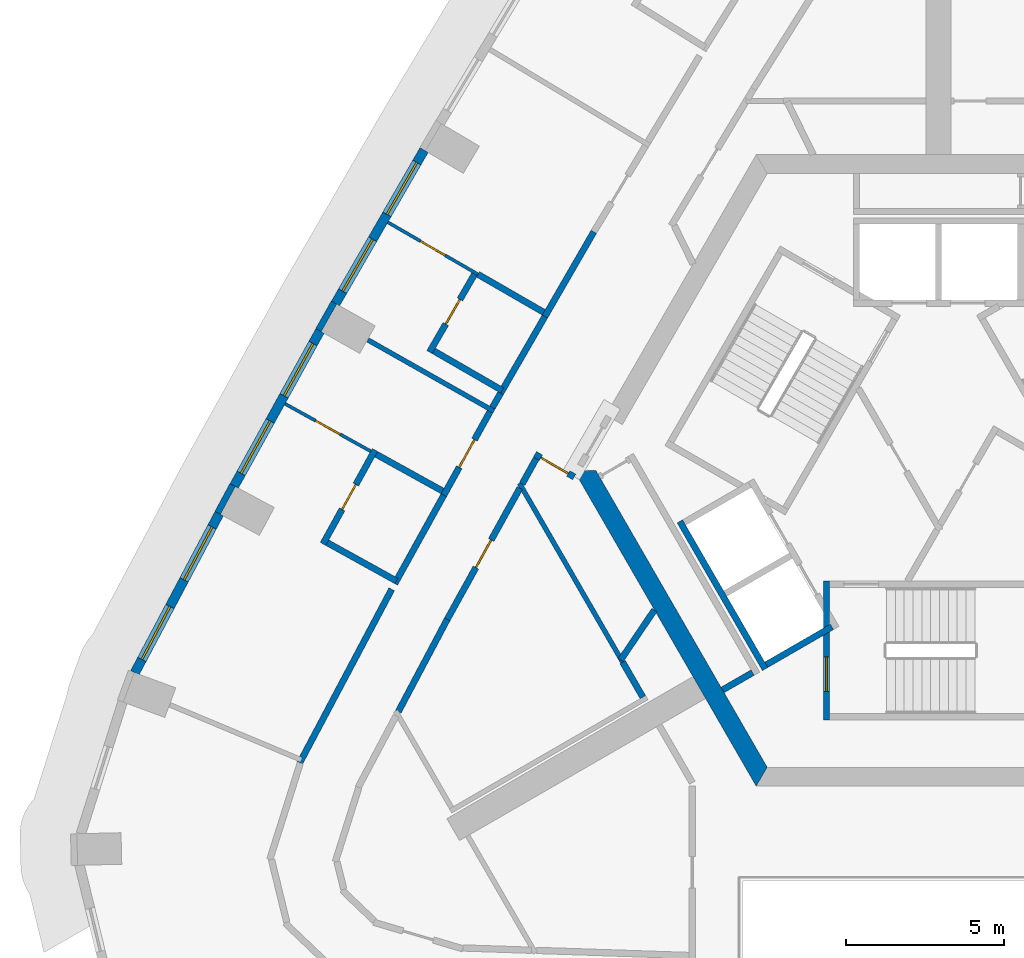
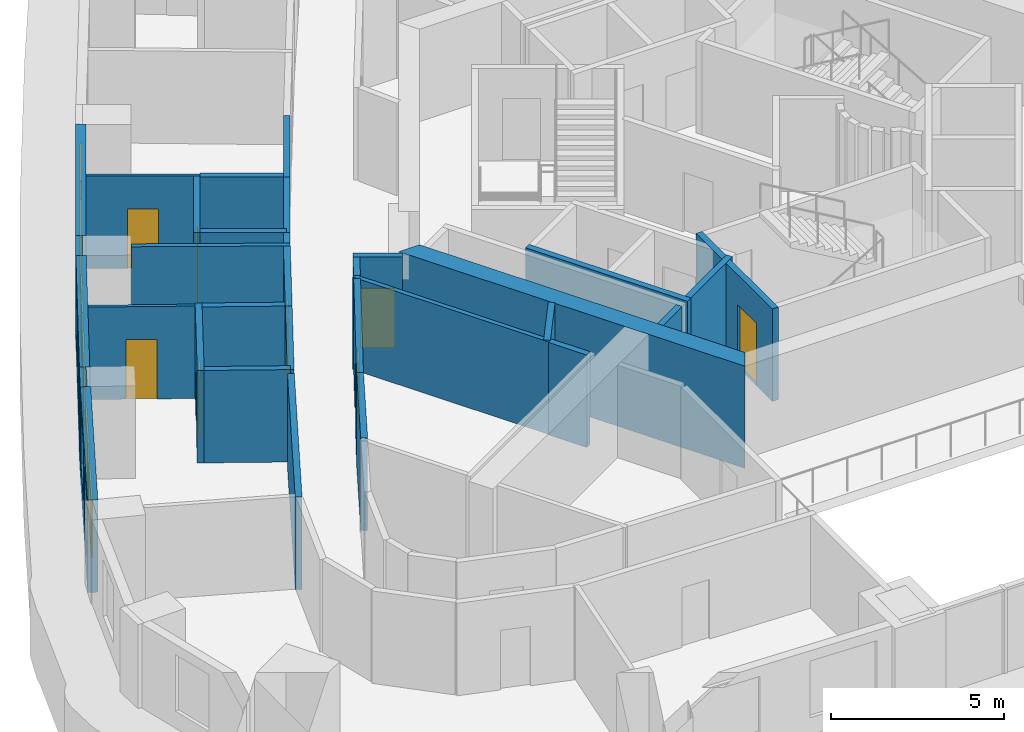
# One storey, part 4 of 13: 32 walls, 8 doors, 6 windows, 14 openings.
"""IFC4 building model written with IfcOpenShell, lengths in metres."""

from ifc_helpers import new_model, si_unit, direction, frame, frame_2d, origin, place, context, subcontext, project, spatial, polyline, rectangle, outline, extrude, material, layer, layer_set, type_object, element, fill, save


model = new_model("IFC4")

# Units and contexts
model_context = context("Model", 3, precision=1e-05, world=origin(), true_north=direction((0.0, 1.0)))
body_context = subcontext(model_context, "Body", "Model", "MODEL_VIEW")
ifc_project = project(units=[si_unit("LENGTHUNIT", "METRE"), si_unit("AREAUNIT", "SQUARE_METRE"), si_unit("VOLUMEUNIT", "CUBIC_METRE"), si_unit("PLANEANGLEUNIT", "RADIAN"), si_unit("MASSUNIT", "GRAM", prefix="KILO")], contexts=[model_context])

# Site, building, storey
site_placement = place(None, origin())
site = spatial("IfcSite", under=ifc_project, at=site_placement, CompositionType="ELEMENT")
building_placement = place(site_placement, origin())
building = spatial("IfcBuilding", under=site, at=building_placement, Name="Entoto Arch Interchange Tower", CompositionType="ELEMENT")
storey_placement = place(building_placement, frame((0.0, 0.0, 266.60009765625)))
storey = spatial("IfcBuildingStorey", under=building, at=storey_placement, Name="L61", CompositionType="ELEMENT", Elevation=266.60009765625)

# Walls
ifc_material_1 = material(Name="Concrete C40/50", Category="concrete")
ifc_layer_1 = layer(ifc_material_1, 0.60009765625)
ifc_layer_set_1 = layer_set([ifc_layer_1], Name="Concrete C40/50")
wall_type_1 = type_object("IfcWallType", Name="Core wall 600 C40/50", PredefinedType="SHEAR", material=ifc_layer_set_1)
wall_1_placement = place(storey_placement, frame((0.0, 0.0, -0.340087890625)))
element("IfcWall", 1, at=wall_1_placement, inside=storey, type_object=wall_type_1, Name="Core wall SW L61", PredefinedType="SHEAR", context=body_context, shape_type="SweptSolid", body=[
    extrude(outline(polyline([(-11.547119140625, 2.5), (-5.77392578125, -7.5), (-5.427001953125, -6.89990234375), (-10.85400390625, 2.5), (-11.547119140625, 2.5)])), origin(), (0.0, 0.0, 1.0), 3.60009765625),
])
ifc_layer_2 = layer(ifc_material_1, 0.199951171875)
ifc_layer_set_2 = layer_set([ifc_layer_2], Name="Concrete C40/50")
wall_type_2 = type_object("IfcWallType", Name="LIFT SHAFT WALL 200", PredefinedType="STANDARD", material=ifc_layer_set_2)
wall_2_placement = place(storey_placement, frame((-8.19189453125, 0.887939453125, 0.0), z_axis=(0.0, 0.0, 1.0), x_axis=(0.500034260056, -0.866005622828, 0.0)))
element("IfcWall", 2, at=wall_2_placement, inside=storey, type_object=wall_type_2, Name="Shaft wall SW1 back", PredefinedType="STANDARD", context=body_context, shape_type="SweptSolid", body=[
    extrude(rectangle(XDim=5.3994140625, YDim=0.199951171875, at=frame_2d((2.69970703125, 0.0))), origin(), (0.0, 0.0, 1.0), 3.260009765625),
])
wall_3_placement = place(storey_placement, frame((-3.376953125, -2.451904296875, 0.0), z_axis=(0.0, 0.0, 1.0), x_axis=(-0.865955154139, -0.50012165622, 0.0)))
element("IfcWall", 3, at=wall_3_placement, inside=storey, type_object=wall_type_2, Name="Shaft wall SW1 cross 3", PredefinedType="STANDARD", context=body_context, shape_type="SweptSolid", body=[
    extrude(rectangle(XDim=2.39990234375, YDim=0.199951171875, at=frame_2d((1.199951171875, 0.0))), origin(), (0.0, 0.0, 1.0), 3.260009765625),
])

# Wall, opening, door
ifc_material_2 = material(Name="Gypsum board partition on steel studs", Category="steel")
ifc_layer_3 = layer(ifc_material_2, 0.10009765625)
ifc_layer_set_3 = layer_set([ifc_layer_3], Name="Gypsum board partition on steel studs")
wall_type_3 = type_object("IfcWallType", Name="PARTITION 100", PredefinedType="PARTITIONING", material=ifc_layer_set_3)
wall_4_placement = place(storey_placement, frame((-14.583984375, 8.7099609375, 0.0), z_axis=(0.0, 0.0, 1.0), x_axis=(-0.866008176907, 0.50002983664, 0.0)))
wall_4 = element("IfcWall", 4, at=wall_4_placement, inside=storey, type_object=wall_type_3, Name="wall:L61:p134", PredefinedType="PARTITIONING", context=body_context, shape_type="SweptSolid", body=[
    extrude(rectangle(XDim=3.300048828125, YDim=0.10009765625, at=frame_2d((1.64990234375, 0.0))), origin(), (0.0, 0.0, 1.0), 3.260009765625),
])
opening_1_placement = place(wall_4_placement, frame((1.199951171875, 0.0, 0.0)))
opening_1 = element("IfcOpeningElement", 5, at=opening_1_placement, cuts=wall_4, Name="Opening L61-D14", PredefinedType="OPENING", context=body_context, shape_type="SweptSolid", body=[
    extrude(rectangle(XDim=0.89990234375, YDim=2.10009765625, at=frame_2d((0.449951171875, 1.050048828125))), frame((0.0, 0.06005859375, 0.0), z_axis=(0.0, -1.0, 0.0), x_axis=(1.0, 0.0, 0.0)), (0.0, 0.0, 1.0), 0.1201171875),
])
ifc_material_3 = material(Name="Timber door leaf in Steel S235 frame", Category="steel")
door_type_1 = type_object("IfcDoorType", Name="DOOR DS-09 900x2100", OperationType="SINGLE_SWING_LEFT", PredefinedType="DOOR", material=ifc_material_3)
door_1_placement = place(opening_1_placement, origin())
door_1 = element("IfcDoor", 6, at=door_1_placement, inside=storey, type_object=door_type_1, Name="door:L61:14", OperationType="SINGLE_SWING_LEFT", OverallHeight=2.10009765625, OverallWidth=0.89990234375, PredefinedType="DOOR", context=body_context, shape_type="SweptSolid", body=[
    extrude(rectangle(XDim=0.89990234375, YDim=2.10009765625, at=frame_2d((0.449951171875, 1.050048828125))), frame((0.0, 0.02490234375, 0.0), z_axis=(0.0, -1.0, 0.0), x_axis=(1.0, 0.0, 0.0)), (0.0, 0.0, 1.0), 0.050048828125),
])
fill(opening_1, door_1)

wall_5_placement = place(storey_placement, frame((-17.985107421875, 3.10888671875, 0.0), z_axis=(0.0, 0.0, 1.0), x_axis=(-0.874762085098, 0.484552674614, 0.0)))
wall_5 = element("IfcWall", 7, at=wall_5_placement, inside=storey, type_object=wall_type_3, Name="wall:L61:p139", PredefinedType="PARTITIONING", context=body_context, shape_type="SweptSolid", body=[
    extrude(rectangle(XDim=3.10009765625, YDim=0.10009765625, at=frame_2d((1.550048828125, 0.0))), origin(), (0.0, 0.0, 1.0), 3.260009765625),
])
opening_2_placement = place(wall_5_placement, frame((1.10009765625, 0.0, 0.0)))
opening_2 = element("IfcOpeningElement", 8, at=opening_2_placement, cuts=wall_5, Name="Opening L61-D17", PredefinedType="OPENING", context=body_context, shape_type="SweptSolid", body=[
    extrude(rectangle(XDim=0.89990234375, YDim=2.10009765625, at=frame_2d((0.449951171875, 1.050048828125))), frame((0.0, 0.06005859375, 0.0), z_axis=(0.0, -1.0, 0.0), x_axis=(1.0, 0.0, 0.0)), (0.0, 0.0, 1.0), 0.1201171875),
])
door_2_placement = place(opening_2_placement, origin())
door_2 = element("IfcDoor", 9, at=door_2_placement, inside=storey, type_object=door_type_1, Name="door:L61:17", OperationType="SINGLE_SWING_LEFT", OverallHeight=2.10009765625, OverallWidth=0.89990234375, PredefinedType="DOOR", context=body_context, shape_type="SweptSolid", body=[
    extrude(rectangle(XDim=0.89990234375, YDim=2.10009765625, at=frame_2d((0.449951171875, 1.050048828125))), frame((0.0, 0.02490234375, 0.0), z_axis=(0.0, -1.0, 0.0), x_axis=(1.0, 0.0, 0.0)), (0.0, 0.0, 1.0), 0.050048828125),
])
fill(opening_2, door_2)

# Walls
ifc_layer_4 = layer(ifc_material_2, 0.14990234375)
ifc_layer_set_4 = layer_set([ifc_layer_4], Name="Gypsum board partition on steel studs")
wall_type_4 = type_object("IfcWallType", Name="PARTITION 150", PredefinedType="PARTITIONING", material=ifc_layer_set_4)
wall_6_placement = place(storey_placement, frame((-13.27392578125, 2.092041015625, 0.0), z_axis=(0.0, 0.0, 1.0), x_axis=(0.500002592159, -0.866023907196, 0.0)))
element("IfcWall", 10, at=wall_6_placement, inside=storey, type_object=wall_type_4, Name="wall:L61:p082", PredefinedType="PARTITIONING", context=body_context, shape_type="SweptSolid", body=[
    extrude(rectangle(XDim=6.5380859375, YDim=0.14990234375, at=frame_2d((3.26904296875, 0.0))), origin(), (0.0, 0.0, 1.0), 3.260009765625),
])
wall_7_placement = place(storey_placement, frame((-14.0830078125, 4.376953125, 0.0), z_axis=(0.0, 0.0, 1.0), x_axis=(-0.870415885751, 0.492317159799, 0.0)))
element("IfcWall", 11, at=wall_7_placement, inside=storey, type_object=wall_type_4, Name="wall:L61:p138", PredefinedType="PARTITIONING", context=body_context, shape_type="SweptSolid", body=[
    extrude(rectangle(XDim=4.58056640625, YDim=0.14990234375, at=frame_2d((2.290283203125, 0.0))), origin(), (0.0, 0.0, 1.0), 3.260009765625),
])

# Wall, opening, door
ifc_layer_5 = layer(ifc_material_2, 0.199951171875)
ifc_layer_set_5 = layer_set([ifc_layer_5], Name="Gypsum board partition on steel studs")
wall_type_5 = type_object("IfcWallType", Name="PARTITION 200", PredefinedType="PARTITIONING", material=ifc_layer_set_5)
wall_8_placement = place(storey_placement, frame((-11.5390625, 2.294921875, 0.0), z_axis=(0.0, 0.0, 1.0), x_axis=(-0.866023989838, 0.500002449018, 0.0)))
wall_8 = element("IfcWall", 12, at=wall_8_placement, inside=storey, type_object=wall_type_5, Name="wall:L61:p001", PredefinedType="PARTITIONING", context=body_context, shape_type="SweptSolid", body=[
    extrude(rectangle(XDim=1.43408203125, YDim=0.199951171875, at=frame_2d((0.717041015625, 0.0))), origin(), (0.0, 0.0, 1.0), 3.260009765625),
])
opening_3_placement = place(wall_8_placement, frame((0.217041015625, 0.0, 0.0)))
opening_3 = element("IfcOpeningElement", 13, at=opening_3_placement, cuts=wall_8, Name="Opening L61-D32", PredefinedType="OPENING", context=body_context, shape_type="SweptSolid", body=[
    extrude(rectangle(XDim=1.0, YDim=2.10009765625, at=frame_2d((0.5, 1.050048828125))), frame((0.0, 0.10986328125, 0.0), z_axis=(0.0, -1.0, 0.0), x_axis=(1.0, 0.0, 0.0)), (0.0, 0.0, 1.0), 0.219970703125),
])
door_type_2 = type_object("IfcDoorType", Name="DOOR DS-10 1000x2100", OperationType="SINGLE_SWING_LEFT", PredefinedType="DOOR", material=ifc_material_3)
door_3_placement = place(opening_3_placement, origin())
door_3 = element("IfcDoor", 14, at=door_3_placement, inside=storey, type_object=door_type_2, Name="door:L61:32", OperationType="SINGLE_SWING_RIGHT", OverallHeight=2.10009765625, OverallWidth=1.0, PredefinedType="DOOR", context=body_context, shape_type="SweptSolid", body=[
    extrude(rectangle(XDim=1.0, YDim=2.10009765625, at=frame_2d((0.5, 1.050048828125))), frame((0.0, 0.02490234375, 0.0), z_axis=(0.0, -1.0, 0.0), x_axis=(1.0, 0.0, 0.0)), (0.0, 0.0, 1.0), 0.050048828125),
])
fill(opening_3, door_3)

# Wall
wall_9_placement = place(storey_placement, frame((-12.742919921875, 2.875, 0.0), z_axis=(0.0, 0.0, 1.0), x_axis=(-0.484334040176, -0.8748831565, 0.0)))
element("IfcWall", 15, at=wall_9_placement, inside=storey, type_object=wall_type_5, Name="wall:L61:p002", PredefinedType="PARTITIONING", context=body_context, shape_type="SweptSolid", body=[
    extrude(rectangle(XDim=0.9189453125, YDim=0.199951171875, at=frame_2d((0.45947265625, 0.0))), origin(), (0.0, 0.0, 1.0), 3.260009765625),
])

# Wall, opening, door
wall_10_placement = place(storey_placement, frame((-13.260986328125, 1.93896484375, 0.0), z_axis=(0.0, 0.0, 1.0), x_axis=(-0.484323615817, -0.874888927329, 0.0)))
wall_10 = element("IfcWall", 16, at=wall_10_placement, inside=storey, type_object=wall_type_5, Name="wall:L61:p029", PredefinedType="PARTITIONING", context=body_context, shape_type="SweptSolid", body=[
    extrude(rectangle(XDim=4.7470703125, YDim=0.199951171875, at=frame_2d((2.37353515625, 0.0))), origin(), (0.0, 0.0, 1.0), 3.260009765625),
])
opening_4_placement = place(wall_10_placement, frame((1.8740234375, 0.0, 0.0)))
opening_4 = element("IfcOpeningElement", 17, at=opening_4_placement, cuts=wall_10, Name="Opening L61-D29", PredefinedType="OPENING", context=body_context, shape_type="SweptSolid", body=[
    extrude(rectangle(XDim=1.0, YDim=2.10009765625, at=frame_2d((0.5, 1.050048828125))), frame((0.0, 0.10986328125, 0.0), z_axis=(0.0, -1.0, 0.0), x_axis=(1.0, 0.0, 0.0)), (0.0, 0.0, 1.0), 0.219970703125),
])
door_4_placement = place(opening_4_placement, origin())
door_4 = element("IfcDoor", 18, at=door_4_placement, inside=storey, type_object=door_type_2, Name="door:L61:29", OperationType="SINGLE_SWING_LEFT", OverallHeight=2.10009765625, OverallWidth=1.0, PredefinedType="DOOR", context=body_context, shape_type="SweptSolid", body=[
    extrude(rectangle(XDim=1.0, YDim=2.10009765625, at=frame_2d((0.5, 1.050048828125))), frame((0.0, 0.02490234375, 0.0), z_axis=(0.0, -1.0, 0.0), x_axis=(1.0, 0.0, 0.0)), (0.0, 0.0, 1.0), 0.050048828125),
])
fill(opening_4, door_4)

# Walls
wall_11_placement = place(storey_placement, frame((-15.56005859375, -2.214111328125, 0.0), z_axis=(0.0, 0.0, 1.0), x_axis=(-0.468104679961, -0.883673021314, 0.0)))
element("IfcWall", 19, at=wall_11_placement, inside=storey, type_object=wall_type_5, Name="wall:L61:p030", PredefinedType="PARTITIONING", context=body_context, shape_type="SweptSolid", body=[
    extrude(rectangle(XDim=3.308837890625, YDim=0.199951171875, at=frame_2d((1.654296875, 0.0))), origin(), (0.0, 0.0, 1.0), 3.260009765625),
])
wall_12_placement = place(storey_placement, frame((-12.468994140625, 7.373046875, 0.0), z_axis=(0.0, 0.0, 1.0), x_axis=(0.500129289791, 0.86595074542, 0.0)))
element("IfcWall", 20, at=wall_12_placement, inside=storey, type_object=wall_type_5, Name="wall:L61:p060", PredefinedType="PARTITIONING", context=body_context, shape_type="SweptSolid", body=[
    extrude(rectangle(XDim=3.099365234375, YDim=0.199951171875, at=frame_2d((1.5498046875, 0.0))), origin(), (0.0, 0.0, 1.0), 3.260009765625),
])
wall_13_placement = place(storey_placement, frame((-14.132080078125, 4.491943359375, 0.0), z_axis=(0.0, 0.0, 1.0), x_axis=(0.499829488579, 0.86612382622, 0.0)))
element("IfcWall", 21, at=wall_13_placement, inside=storey, type_object=wall_type_5, Name="wall:L61:p062", PredefinedType="PARTITIONING", context=body_context, shape_type="SweptSolid", body=[
    extrude(rectangle(XDim=0.526611328125, YDim=0.199951171875, at=frame_2d((0.26318359375, 0.0))), origin(), (0.0, 0.0, 1.0), 3.260009765625),
])
wall_14_placement = place(storey_placement, frame((-13.868896484375, 4.947998046875, 0.0), z_axis=(0.0, 0.0, 1.0), x_axis=(0.49994636267, 0.866056369097, 0.0)))
element("IfcWall", 22, at=wall_14_placement, inside=storey, type_object=wall_type_5, Name="wall:L61:p063", PredefinedType="PARTITIONING", context=body_context, shape_type="SweptSolid", body=[
    extrude(rectangle(XDim=2.800048828125, YDim=0.199951171875, at=frame_2d((1.39990234375, 0.0))), origin(), (0.0, 0.0, 1.0), 3.260009765625),
])

# Wall, opening, door
wall_15_placement = place(storey_placement, frame((-15.6708984375, 1.714111328125, 0.0), z_axis=(0.0, 0.0, 1.0), x_axis=(0.484203367026, 0.874955484216, 0.0)))
wall_15 = element("IfcWall", 23, at=wall_15_placement, inside=storey, type_object=wall_type_5, Name="wall:L61:p064", PredefinedType="PARTITIONING", context=body_context, shape_type="SweptSolid", body=[
    extrude(rectangle(XDim=3.025146484375, YDim=0.199951171875, at=frame_2d((1.5126953125, 0.0))), origin(), (0.0, 0.0, 1.0), 3.260009765625),
])
opening_5_placement = place(wall_15_placement, frame((1.012939453125, 0.0, 0.0)))
opening_5 = element("IfcOpeningElement", 24, at=opening_5_placement, cuts=wall_15, Name="Opening L61-D16", PredefinedType="OPENING", context=body_context, shape_type="SweptSolid", body=[
    extrude(rectangle(XDim=1.0, YDim=2.10009765625, at=frame_2d((0.5, 1.050048828125))), frame((0.0, 0.10986328125, 0.0), z_axis=(0.0, -1.0, 0.0), x_axis=(1.0, 0.0, 0.0)), (0.0, 0.0, 1.0), 0.219970703125),
])
ifc_material_4 = material(Name="Fire-rated Steel S235 door and frame", Category="steel")
door_type_3 = type_object("IfcDoorType", Name="DOOR FD-10 1000x2100", OperationType="SINGLE_SWING_LEFT", PredefinedType="DOOR", material=ifc_material_4)
door_5_placement = place(opening_5_placement, origin())
door_5 = element("IfcDoor", 25, at=door_5_placement, inside=storey, type_object=door_type_3, Name="door:L61:16", OperationType="SINGLE_SWING_RIGHT", OverallHeight=2.10009765625, OverallWidth=1.0, PredefinedType="DOOR", context=body_context, shape_type="SweptSolid", body=[
    extrude(rectangle(XDim=1.0, YDim=2.10009765625, at=frame_2d((0.5, 1.050048828125))), frame((0.0, 0.02490234375, 0.0), z_axis=(0.0, -1.0, 0.0), x_axis=(1.0, 0.0, 0.0)), (0.0, 0.0, 1.0), 0.050048828125),
])
fill(opening_5, door_5)

# Walls
wall_16_placement = place(storey_placement, frame((-20.22900390625, -6.75390625, 0.0), z_axis=(0.0, 0.0, 1.0), x_axis=(0.468313568794, 0.883562335822, 0.0)))
element("IfcWall", 26, at=wall_16_placement, inside=storey, type_object=wall_type_5, Name="wall:L61:p065", PredefinedType="PARTITIONING", context=body_context, shape_type="SweptSolid", body=[
    extrude(rectangle(XDim=6.215576171875, YDim=0.199951171875, at=frame_2d((3.10791015625, 0.0))), origin(), (0.0, 0.0, 1.0), 3.260009765625),
])
wall_17_placement = place(storey_placement, frame((-17.220947265625, -1.0849609375, 0.0), z_axis=(0.0, 0.0, 1.0), x_axis=(0.48445041864, 0.874818719438, 0.0)))
element("IfcWall", 27, at=wall_17_placement, inside=storey, type_object=wall_type_5, Name="wall:L61:p066", PredefinedType="PARTITIONING", context=body_context, shape_type="SweptSolid", body=[
    extrude(rectangle(XDim=3.19970703125, YDim=0.199951171875, at=frame_2d((1.599853515625, 0.0))), origin(), (0.0, 0.0, 1.0), 3.260009765625),
])
wall_18_placement = place(storey_placement, frame((-5.887939453125, -3.902099609375, 0.0), z_axis=(0.0, 0.0, 1.0), x_axis=(-0.86621513555, -0.499671230855, 0.0)))
element("IfcWall", 28, at=wall_18_placement, inside=storey, type_object=wall_type_5, Name="wall:L61:p078", PredefinedType="PARTITIONING", context=body_context, shape_type="SweptSolid", body=[
    extrude(rectangle(XDim=1.100341796875, YDim=0.199951171875, at=frame_2d((0.55029296875, 0.0))), origin(), (0.0, 0.0, 1.0), 3.260009765625),
])
wall_19_placement = place(storey_placement, frame((-10.069091796875, -3.50390625, 0.0), z_axis=(0.0, 0.0, 1.0), x_axis=(0.559779346026, 0.828641710127, 0.0)))
element("IfcWall", 29, at=wall_19_placement, inside=storey, type_object=wall_type_5, Name="wall:L61:p081", PredefinedType="PARTITIONING", context=body_context, shape_type="SweptSolid", body=[
    extrude(rectangle(XDim=1.9150390625, YDim=0.199951171875, at=frame_2d((0.95751953125, 0.0))), origin(), (0.0, 0.0, 1.0), 3.260009765625),
])
wall_20_placement = place(storey_placement, frame((-9.364013671875, -4.679931640625, 0.0), z_axis=(0.0, 0.0, 1.0), x_axis=(-0.500052244015, 0.865995238587, 0.0)))
element("IfcWall", 30, at=wall_20_placement, inside=storey, type_object=wall_type_5, Name="wall:L61:p099", PredefinedType="PARTITIONING", context=body_context, shape_type="SweptSolid", body=[
    extrude(rectangle(XDim=1.281494140625, YDim=0.199951171875, at=frame_2d((0.640625, 0.0))), origin(), (0.0, 0.0, 1.0), 3.260009765625),
])
wall_21_placement = place(storey_placement, frame((-12.5048828125, 7.510009765625, 0.0), z_axis=(0.0, 0.0, 1.0), x_axis=(-0.866277021052, 0.499563932643, 0.0)))
element("IfcWall", 31, at=wall_21_placement, inside=storey, type_object=wall_type_5, Name="wall:L61:p135", PredefinedType="PARTITIONING", context=body_context, shape_type="SweptSolid", body=[
    extrude(rectangle(XDim=2.400146484375, YDim=0.199951171875, at=frame_2d((1.2001953125, 0.0))), origin(), (0.0, 0.0, 1.0), 3.260009765625),
])

# Wall, opening, door
wall_22_placement = place(storey_placement, frame((-14.64501953125, 8.802978515625, 0.0), z_axis=(0.0, 0.0, 1.0), x_axis=(-0.500001826776, -0.866024349092, 0.0)))
wall_22 = element("IfcWall", 32, at=wall_22_placement, inside=storey, type_object=wall_type_5, Name="wall:L61:p136", PredefinedType="PARTITIONING", context=body_context, shape_type="SweptSolid", body=[
    extrude(rectangle(XDim=2.9501953125, YDim=0.199951171875, at=frame_2d((1.47509765625, 0.0))), origin(), (0.0, 0.0, 1.0), 3.260009765625),
])
opening_6_placement = place(wall_22_placement, frame((1.02490234375, 0.0, 0.0)))
opening_6 = element("IfcOpeningElement", 33, at=opening_6_placement, cuts=wall_22, Name="Opening L61-D15", PredefinedType="OPENING", context=body_context, shape_type="SweptSolid", body=[
    extrude(rectangle(XDim=0.89990234375, YDim=2.10009765625, at=frame_2d((0.449951171875, 1.050048828125))), frame((0.0, 0.10986328125, 0.0), z_axis=(0.0, -1.0, 0.0), x_axis=(1.0, 0.0, 0.0)), (0.0, 0.0, 1.0), 0.219970703125),
])
door_6_placement = place(opening_6_placement, origin())
door_6 = element("IfcDoor", 34, at=door_6_placement, inside=storey, type_object=door_type_1, Name="door:L61:15", OperationType="SINGLE_SWING_LEFT", OverallHeight=2.10009765625, OverallWidth=0.89990234375, PredefinedType="DOOR", context=body_context, shape_type="SweptSolid", body=[
    extrude(rectangle(XDim=0.89990234375, YDim=2.10009765625, at=frame_2d((0.449951171875, 1.050048828125))), frame((0.0, 0.02490234375, 0.0), z_axis=(0.0, -1.0, 0.0), x_axis=(1.0, 0.0, 0.0)), (0.0, 0.0, 1.0), 0.050048828125),
])
fill(opening_6, door_6)

# Walls
wall_23_placement = place(storey_placement, frame((-15.98388671875, 6.284912109375, 0.0), z_axis=(0.0, 0.0, 1.0), x_axis=(0.865998541277, -0.500046524342, 0.0)))
element("IfcWall", 35, at=wall_23_placement, inside=storey, type_object=wall_type_5, Name="wall:L61:p137", PredefinedType="PARTITIONING", context=body_context, shape_type="SweptSolid", body=[
    extrude(rectangle(XDim=2.499755859375, YDim=0.199951171875, at=frame_2d((1.25, 0.0))), origin(), (0.0, 0.0, 1.0), 3.260009765625),
])
wall_24_placement = place(storey_placement, frame((-15.7099609375, 1.85009765625, 0.0), z_axis=(0.0, 0.0, 1.0), x_axis=(-0.874842414173, 0.484407628308, 0.0)))
element("IfcWall", 36, at=wall_24_placement, inside=storey, type_object=wall_type_5, Name="wall:L61:p140", PredefinedType="PARTITIONING", context=body_context, shape_type="SweptSolid", body=[
    extrude(rectangle(XDim=2.400634765625, YDim=0.199951171875, at=frame_2d((1.2001953125, 0.0))), origin(), (0.0, 0.0, 1.0), 3.260009765625),
])

# Wall, opening, door
wall_25_placement = place(storey_placement, frame((-17.84912109375, 3.14794921875, 0.0), z_axis=(0.0, 0.0, 1.0), x_axis=(-0.484257957482, -0.874925271446, 0.0)))
wall_25 = element("IfcWall", 37, at=wall_25_placement, inside=storey, type_object=wall_type_5, Name="wall:L61:p141", PredefinedType="PARTITIONING", context=body_context, shape_type="SweptSolid", body=[
    extrude(rectangle(XDim=3.39892578125, YDim=0.199951171875, at=frame_2d((1.699462890625, 0.0))), origin(), (0.0, 0.0, 1.0), 3.260009765625),
])
opening_7_placement = place(wall_25_placement, frame((1.25, 0.0, 0.0)))
opening_7 = element("IfcOpeningElement", 38, at=opening_7_placement, cuts=wall_25, Name="Opening L61-D18", PredefinedType="OPENING", context=body_context, shape_type="SweptSolid", body=[
    extrude(rectangle(XDim=0.89990234375, YDim=2.10009765625, at=frame_2d((0.449951171875, 1.050048828125))), frame((0.0, 0.10986328125, 0.0), z_axis=(0.0, -1.0, 0.0), x_axis=(1.0, 0.0, 0.0)), (0.0, 0.0, 1.0), 0.219970703125),
])
door_7_placement = place(opening_7_placement, origin())
door_7 = element("IfcDoor", 39, at=door_7_placement, inside=storey, type_object=door_type_1, Name="door:L61:18", OperationType="SINGLE_SWING_LEFT", OverallHeight=2.10009765625, OverallWidth=0.89990234375, PredefinedType="DOOR", context=body_context, shape_type="SweptSolid", body=[
    extrude(rectangle(XDim=0.89990234375, YDim=2.10009765625, at=frame_2d((0.449951171875, 1.050048828125))), frame((0.0, 0.02490234375, 0.0), z_axis=(0.0, -1.0, 0.0), x_axis=(1.0, 0.0, 0.0)), (0.0, 0.0, 1.0), 0.050048828125),
])
fill(opening_7, door_7)

# Wall
wall_26_placement = place(storey_placement, frame((-19.360107421875, 0.212890625, 0.0), z_axis=(0.0, 0.0, 1.0), x_axis=(0.874939003568, -0.484233146362, 0.0)))
element("IfcWall", 40, at=wall_26_placement, inside=storey, type_object=wall_type_5, Name="wall:L61:p142", PredefinedType="PARTITIONING", context=body_context, shape_type="SweptSolid", body=[
    extrude(rectangle(XDim=2.500732421875, YDim=0.199951171875, at=frame_2d((1.25048828125, 0.0))), origin(), (0.0, 0.0, 1.0), 3.260009765625),
])

# Wall, opening, door
ifc_layer_6 = layer(ifc_material_1, 0.199951171875)
ifc_layer_set_6 = layer_set([ifc_layer_6], Name="Concrete C40/50")
wall_type_6 = type_object("IfcWallType", Name="STAIR ENCLOSURE WALL 200", PredefinedType="STANDARD", material=ifc_layer_set_6)
wall_27_placement = place(storey_placement, frame((-3.550048828125, -1.0, 0.0), z_axis=(0.0, 0.0, 1.0), x_axis=(0.0, -1.0, 0.0)))
wall_27 = element("IfcWall", 41, at=wall_27_placement, inside=storey, type_object=wall_type_6, Name="Stair wall ST-S near", PredefinedType="STANDARD", context=body_context, shape_type="SweptSolid", body=[
    extrude(rectangle(XDim=4.39990234375, YDim=0.199951171875, at=frame_2d((2.199951171875, 0.0))), origin(), (0.0, 0.0, 1.0), 3.260009765625),
])
opening_8_placement = place(wall_27_placement, frame((2.39990234375, 0.0, 0.0)))
opening_8 = element("IfcOpeningElement", 42, at=opening_8_placement, cuts=wall_27, Name="Opening SD-ST-S-L61-E", PredefinedType="OPENING", context=body_context, shape_type="SweptSolid", body=[
    extrude(rectangle(XDim=1.10009765625, YDim=2.199951171875, at=frame_2d((0.550048828125, 1.10009765625))), frame((0.0, 0.10986328125, 0.0), z_axis=(0.0, -1.0, 0.0), x_axis=(1.0, 0.0, 0.0)), (0.0, 0.0, 1.0), 0.219970703125),
])
ifc_material_5 = material(Name="Steel S235", Category="steel")
door_type_4 = type_object("IfcDoorType", Name="STAIR DOOR SD1 1100x2200", OperationType="SINGLE_SWING_LEFT", PredefinedType="DOOR", material=ifc_material_5)
door_8_placement = place(opening_8_placement, origin())
door_8 = element("IfcDoor", 43, at=door_8_placement, inside=storey, type_object=door_type_4, Name="Stair door ST-S L61 end", OperationType="SINGLE_SWING_LEFT", OverallHeight=2.199951171875, OverallWidth=1.10009765625, PredefinedType="DOOR", context=body_context, shape_type="SweptSolid", body=[
    extrude(rectangle(XDim=1.10009765625, YDim=2.199951171875, at=frame_2d((0.550048828125, 1.10009765625))), frame((0.0, 0.02490234375, 0.0), z_axis=(0.0, -1.0, 0.0), x_axis=(1.0, 0.0, 0.0)), (0.0, 0.0, 1.0), 0.050048828125),
])
fill(opening_8, door_8)

# Wall, openings, windows
ifc_material_6 = material(Name="Welded tuff (ignimbrite) cladding, warm buff", Category="masonry")
ifc_layer_7 = layer(ifc_material_6, 0.300048828125)
ifc_layer_set_7 = layer_set([ifc_layer_7], Name="Welded tuff (ignimbrite) cladding, warm buff")
wall_type_7 = type_object("IfcWallType", Name="STONE INFILL WALL 300", PredefinedType="STANDARD", material=ifc_layer_set_7)
wall_28_placement = place(storey_placement, frame((-16.2939453125, 12.64697265625, 0.0), z_axis=(0.0, 0.0, 1.0), x_axis=(-0.500041292042, -0.866001562501, 0.0)))
wall_28 = element("IfcWall", 44, at=wall_28_placement, inside=storey, type_object=wall_type_7, Name="Facade wall NW-03 L61", PredefinedType="STANDARD", context=body_context, shape_type="SweptSolid", body=[
    extrude(rectangle(XDim=5.61181640625, YDim=0.300048828125, at=frame_2d((2.805908203125, 0.0))), origin(), (0.0, 0.0, 1.0), 3.260009765625),
])
opening_9_placement = place(wall_28_placement, frame((0.452880859375, 0.0, 0.89990234375)))
opening_9 = element("IfcOpeningElement", 45, at=opening_9_placement, cuts=wall_28, Name="Opening WH-C", PredefinedType="OPENING", context=body_context, shape_type="SweptSolid", body=[
    extrude(rectangle(XDim=1.89990234375, YDim=2.0, at=frame_2d((0.949951171875, 1.0))), frame((0.0, 0.16015625, 0.0), z_axis=(0.0, -1.0, 0.0), x_axis=(1.0, 0.0, 0.0)), (0.0, 0.0, 1.0), 0.320068359375),
])
opening_10_placement = place(wall_28_placement, frame((3.259033203125, 0.0, 0.89990234375)))
opening_10 = element("IfcOpeningElement", 46, at=opening_10_placement, cuts=wall_28, Name="Opening WH-C", PredefinedType="OPENING", context=body_context, shape_type="SweptSolid", body=[
    extrude(rectangle(XDim=1.89990234375, YDim=2.0, at=frame_2d((0.949951171875, 1.0))), frame((0.0, 0.16015625, 0.0), z_axis=(0.0, -1.0, 0.0), x_axis=(1.0, 0.0, 0.0)), (0.0, 0.0, 1.0), 0.320068359375),
])
ifc_material_7 = material(Name="Clear glass, low-e double glazed", Category="glass")
window_type = type_object("IfcWindowType", Name="WINDOW WH-C 1900x2000", PartitioningType="DOUBLE_PANEL_VERTICAL", PredefinedType="WINDOW", material=ifc_material_7)
window_1_placement = place(opening_9_placement, origin())
window_1 = element("IfcWindow", 47, at=window_1_placement, inside=storey, type_object=window_type, Name="Window WH-C NW-03 L61", OverallHeight=2.0, OverallWidth=1.89990234375, PartitioningType="SINGLE_PANEL", PredefinedType="WINDOW", context=body_context, shape_type="SweptSolid", body=[
    extrude(rectangle(XDim=1.89990234375, YDim=2.0, at=frame_2d((0.949951171875, 1.0))), frame((0.0, 0.030029296875, 0.0), z_axis=(0.0, -1.0, 0.0), x_axis=(1.0, 0.0, 0.0)), (0.0, 0.0, 1.0), 0.06005859375),
])
fill(opening_9, window_1)
window_2_placement = place(opening_10_placement, origin())
window_2 = element("IfcWindow", 48, at=window_2_placement, inside=storey, type_object=window_type, Name="Window WH-C NW-03 L61", OverallHeight=2.0, OverallWidth=1.89990234375, PartitioningType="SINGLE_PANEL", PredefinedType="WINDOW", context=body_context, shape_type="SweptSolid", body=[
    extrude(rectangle(XDim=1.89990234375, YDim=2.0, at=frame_2d((0.949951171875, 1.0))), frame((0.0, 0.030029296875, 0.0), z_axis=(0.0, -1.0, 0.0), x_axis=(1.0, 0.0, 0.0)), (0.0, 0.0, 1.0), 0.06005859375),
])
fill(opening_10, window_2)

wall_29_placement = place(storey_placement, frame((-19.591064453125, 6.9189453125, 0.0), z_axis=(0.0, 0.0, 1.0), x_axis=(-0.484260568952, -0.874923826032, 0.0)))
wall_29 = element("IfcWall", 49, at=wall_29_placement, inside=storey, type_object=wall_type_7, Name="Facade wall NW-04 L61", PredefinedType="STANDARD", context=body_context, shape_type="SweptSolid", body=[
    extrude(rectangle(XDim=5.610595703125, YDim=0.300048828125, at=frame_2d((2.80517578125, 0.0))), origin(), (0.0, 0.0, 1.0), 3.260009765625),
])
opening_11_placement = place(wall_29_placement, frame((0.452880859375, 0.0, 0.89990234375)))
opening_11 = element("IfcOpeningElement", 50, at=opening_11_placement, cuts=wall_29, Name="Opening WH-C", PredefinedType="OPENING", context=body_context, shape_type="SweptSolid", body=[
    extrude(rectangle(XDim=1.89990234375, YDim=2.0, at=frame_2d((0.949951171875, 1.0))), frame((0.0, 0.16015625, 0.0), z_axis=(0.0, -1.0, 0.0), x_axis=(1.0, 0.0, 0.0)), (0.0, 0.0, 1.0), 0.320068359375),
])
opening_12_placement = place(wall_29_placement, frame((3.258056640625, 0.0, 0.89990234375)))
opening_12 = element("IfcOpeningElement", 51, at=opening_12_placement, cuts=wall_29, Name="Opening WH-C", PredefinedType="OPENING", context=body_context, shape_type="SweptSolid", body=[
    extrude(rectangle(XDim=1.89990234375, YDim=2.0, at=frame_2d((0.949951171875, 1.0))), frame((0.0, 0.16015625, 0.0), z_axis=(0.0, -1.0, 0.0), x_axis=(1.0, 0.0, 0.0)), (0.0, 0.0, 1.0), 0.320068359375),
])
window_3_placement = place(opening_11_placement, origin())
window_3 = element("IfcWindow", 52, at=window_3_placement, inside=storey, type_object=window_type, Name="Window WH-C NW-04 L61", OverallHeight=2.0, OverallWidth=1.89990234375, PartitioningType="SINGLE_PANEL", PredefinedType="WINDOW", context=body_context, shape_type="SweptSolid", body=[
    extrude(rectangle(XDim=1.89990234375, YDim=2.0, at=frame_2d((0.949951171875, 1.0))), frame((0.0, 0.030029296875, 0.0), z_axis=(0.0, -1.0, 0.0), x_axis=(1.0, 0.0, 0.0)), (0.0, 0.0, 1.0), 0.06005859375),
])
fill(opening_11, window_3)
window_4_placement = place(opening_12_placement, origin())
window_4 = element("IfcWindow", 53, at=window_4_placement, inside=storey, type_object=window_type, Name="Window WH-C NW-04 L61", OverallHeight=2.0, OverallWidth=1.89990234375, PartitioningType="SINGLE_PANEL", PredefinedType="WINDOW", context=body_context, shape_type="SweptSolid", body=[
    extrude(rectangle(XDim=1.89990234375, YDim=2.0, at=frame_2d((0.949951171875, 1.0))), frame((0.0, 0.030029296875, 0.0), z_axis=(0.0, -1.0, 0.0), x_axis=(1.0, 0.0, 0.0)), (0.0, 0.0, 1.0), 0.06005859375),
])
fill(opening_12, window_4)

wall_30_placement = place(storey_placement, frame((-22.783935546875, 1.132080078125, 0.0), z_axis=(0.0, 0.0, 1.0), x_axis=(-0.468220106253, -0.883611867338, 0.0)))
wall_30 = element("IfcWall", 54, at=wall_30_placement, inside=storey, type_object=wall_type_7, Name="Facade wall NW-05 L61", PredefinedType="STANDARD", context=body_context, shape_type="SweptSolid", body=[
    extrude(rectangle(XDim=5.702880859375, YDim=0.300048828125, at=frame_2d((2.8515625, 0.0))), origin(), (0.0, 0.0, 1.0), 3.260009765625),
])
opening_13_placement = place(wall_30_placement, frame((0.47607421875, 0.0, 0.89990234375)))
opening_13 = element("IfcOpeningElement", 55, at=opening_13_placement, cuts=wall_30, Name="Opening WH-C", PredefinedType="OPENING", context=body_context, shape_type="SweptSolid", body=[
    extrude(rectangle(XDim=1.89990234375, YDim=2.0, at=frame_2d((0.949951171875, 1.0))), frame((0.0, 0.16015625, 0.0), z_axis=(0.0, -1.0, 0.0), x_axis=(1.0, 0.0, 0.0)), (0.0, 0.0, 1.0), 0.320068359375),
])
opening_14_placement = place(wall_30_placement, frame((3.326904296875, 0.0, 0.89990234375)))
opening_14 = element("IfcOpeningElement", 56, at=opening_14_placement, cuts=wall_30, Name="Opening WH-C", PredefinedType="OPENING", context=body_context, shape_type="SweptSolid", body=[
    extrude(rectangle(XDim=1.89990234375, YDim=2.0, at=frame_2d((0.949951171875, 1.0))), frame((0.0, 0.16015625, 0.0), z_axis=(0.0, -1.0, 0.0), x_axis=(1.0, 0.0, 0.0)), (0.0, 0.0, 1.0), 0.320068359375),
])
window_5_placement = place(opening_13_placement, origin())
window_5 = element("IfcWindow", 57, at=window_5_placement, inside=storey, type_object=window_type, Name="Window WH-C NW-05 L61", OverallHeight=2.0, OverallWidth=1.89990234375, PartitioningType="SINGLE_PANEL", PredefinedType="WINDOW", context=body_context, shape_type="SweptSolid", body=[
    extrude(rectangle(XDim=1.89990234375, YDim=2.0, at=frame_2d((0.949951171875, 1.0))), frame((0.0, 0.030029296875, 0.0), z_axis=(0.0, -1.0, 0.0), x_axis=(1.0, 0.0, 0.0)), (0.0, 0.0, 1.0), 0.06005859375),
])
fill(opening_13, window_5)
window_6_placement = place(opening_14_placement, origin())
window_6 = element("IfcWindow", 58, at=window_6_placement, inside=storey, type_object=window_type, Name="Window WH-C NW-05 L61", OverallHeight=2.0, OverallWidth=1.89990234375, PartitioningType="SINGLE_PANEL", PredefinedType="WINDOW", context=body_context, shape_type="SweptSolid", body=[
    extrude(rectangle(XDim=1.89990234375, YDim=2.0, at=frame_2d((0.949951171875, 1.0))), frame((0.0, 0.030029296875, 0.0), z_axis=(0.0, -1.0, 0.0), x_axis=(1.0, 0.0, 0.0)), (0.0, 0.0, 1.0), 0.06005859375),
])
fill(opening_14, window_6)

# Walls
ifc_layer_8 = layer(ifc_material_6, 0.199951171875)
ifc_layer_set_8 = layer_set([ifc_layer_8], Name="Welded tuff (ignimbrite) cladding, warm buff")
wall_type_8 = type_object("IfcWallType", Name="STONE PIER CLADDING 200", PredefinedType="STANDARD", material=ifc_layer_set_8)
wall_31_placement = place(storey_placement, frame((-19.14697265625, 7.81494140625, 0.0), z_axis=(0.0, 0.0, 1.0), x_axis=(-0.491848119507, -0.870681013539, 0.0)))
element("IfcWall", 59, at=wall_31_placement, inside=storey, type_object=wall_type_8, Name="Stone pier NW04 L61", PredefinedType="STANDARD", context=body_context, shape_type="SweptSolid", body=[
    extrude(rectangle(XDim=1.000244140625, YDim=0.199951171875, at=frame_2d((0.5, 0.0))), origin(), (0.0, 0.0, 1.0), 3.260009765625),
])
wall_32_placement = place(storey_placement, frame((-22.35693359375, 2.037109375, 0.0), z_axis=(0.0, 0.0, 1.0), x_axis=(-0.473852444207, -0.880604259085, 0.0)))
element("IfcWall", 60, at=wall_32_placement, inside=storey, type_object=wall_type_8, Name="Stone pier NW05 L61", PredefinedType="STANDARD", context=body_context, shape_type="SweptSolid", body=[
    extrude(rectangle(XDim=1.00048828125, YDim=0.199951171875, at=frame_2d((0.500244140625, 0.0))), origin(), (0.0, 0.0, 1.0), 3.260009765625),
])

save(model, "model.ifc")
